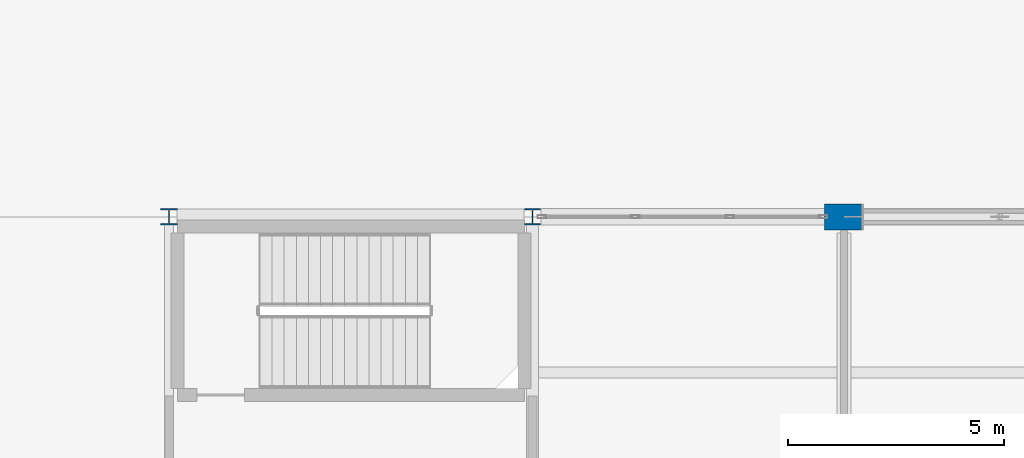
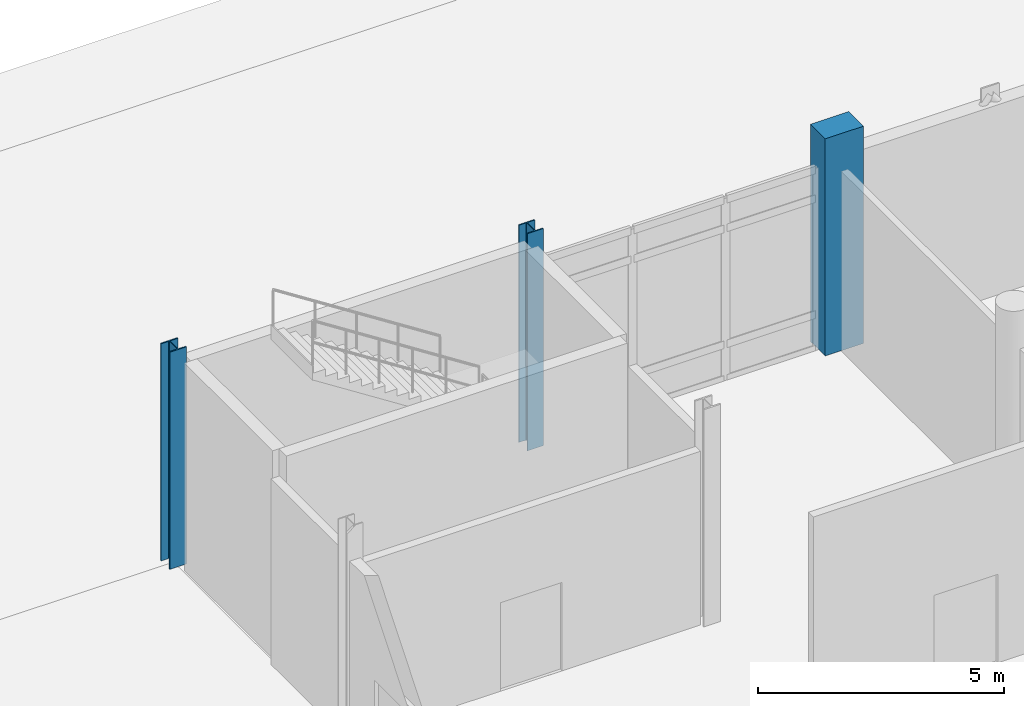
# One storey, part 17 of 229: 3 columns.
"""IFC4 building model written with IfcOpenShell, lengths in metres."""

from ifc_helpers import new_model, si_unit, direction, frame, origin, origin_2d, place, context, subcontext, project, spatial, rectangle, i_section, extrude, material, material_profile, profile_set, type_object, element, save


model = new_model("IFC4")

# Units and contexts
model_context = context("Model", 3, precision=1e-05, world=origin(), true_north=direction((0.0, 1.0)))
body_context = subcontext(model_context, "Body", "Model", "MODEL_VIEW")
ifc_project = project(units=[si_unit("LENGTHUNIT", "METRE"), si_unit("AREAUNIT", "SQUARE_METRE"), si_unit("VOLUMEUNIT", "CUBIC_METRE"), si_unit("PLANEANGLEUNIT", "RADIAN"), si_unit("MASSUNIT", "GRAM", prefix="KILO")], contexts=[model_context])

# Site, building, storey
site_placement = place(None, origin())
site = spatial("IfcSite", under=ifc_project, at=site_placement, CompositionType="ELEMENT")
building_placement = place(site_placement, origin())
building = spatial("IfcBuilding", under=site, at=building_placement, Name="Calvrana Isthmian Art Gallery", CompositionType="ELEMENT")
storey_placement = place(building_placement, origin())
storey = spatial("IfcBuildingStorey", under=building, at=storey_placement, Name="L00", CompositionType="ELEMENT", Elevation=0.0)

# Columns
ifc_material_1 = material(Name="Concrete C40/50", Category="concrete")
ifc_material_profile_1 = material_profile(ifc_material_1, rectangle(XDim=0.89990234375, YDim=0.60009765625, at=origin_2d()), Name="RC900X600")
ifc_profile_set_1 = profile_set([ifc_material_profile_1], Name="Concrete C40/50")
column_type_1 = type_object("IfcColumnType", Name="COL-RC-RC900X600", PredefinedType="COLUMN", material=ifc_profile_set_1)
column_1_placement = place(storey_placement, frame((120.0, 98.39990234375, 0.0), z_axis=(0.0, 0.0, 1.0), x_axis=(1.0, 0.0, 0.0)))
element("IfcColumn", 1, at=column_1_placement, inside=storey, type_object=column_type_1, Name="Column 16/N L00", PredefinedType="COLUMN", context=body_context, shape_type="SweptSolid", body=[
    extrude(rectangle(XDim=0.89990234375, YDim=0.60009765625, at=origin_2d()), origin(), (0.0, 0.0, 1.0), 5.39990234375),
])
ifc_material_2 = material(Name="Steel ASTM A992 Gr 50", Category="steel")
ifc_material_profile_2 = material_profile(ifc_material_2, i_section(OverallWidth=0.373046875, OverallDepth=0.373046875, WebThickness=0.016357421875, FlangeThickness=0.026123046875, FilletRadius=0.02490234375, at=origin_2d()), Name="W14X132")
ifc_profile_set_2 = profile_set([ifc_material_profile_2], Name="Steel ASTM A992 Gr 50")
column_type_2 = type_object("IfcColumnType", Name="COL-STL-W14X132", PredefinedType="COLUMN", material=ifc_profile_set_2)
column_2_placement = place(storey_placement, frame((112.800048828125, 98.39990234375, 0.0), z_axis=(0.0, 0.0, 1.0), x_axis=(1.0, 0.0, 0.0)))
element("IfcColumn", 2, at=column_2_placement, inside=storey, type_object=column_type_2, Name="Column 15/N L00", PredefinedType="COLUMN", context=body_context, shape_type="SweptSolid", body=[
    extrude(i_section(OverallWidth=0.373046875, OverallDepth=0.373046875, WebThickness=0.016357421875, FlangeThickness=0.026123046875, FilletRadius=0.02490234375, at=origin_2d()), origin(), (0.0, 0.0, 1.0), 5.39990234375),
])
ifc_material_profile_3 = material_profile(ifc_material_2, i_section(OverallWidth=0.39404296875, OverallDepth=0.3759765625, WebThickness=0.017333984375, FlangeThickness=0.027587890625, FilletRadius=0.02490234375, at=origin_2d()), Name="W14X145")
ifc_profile_set_3 = profile_set([ifc_material_profile_3], Name="Steel ASTM A992 Gr 50")
column_type_3 = type_object("IfcColumnType", Name="COL-STL-W14X145", PredefinedType="COLUMN", material=ifc_profile_set_3)
column_3_placement = place(storey_placement, frame((104.39990234375, 98.39990234375, 0.0), z_axis=(0.0, 0.0, 1.0), x_axis=(1.0, 0.0, 0.0)))
element("IfcColumn", 3, at=column_3_placement, inside=storey, type_object=column_type_3, Name="Column 14/N L00", PredefinedType="COLUMN", context=body_context, shape_type="SweptSolid", body=[
    extrude(i_section(OverallWidth=0.39404296875, OverallDepth=0.3759765625, WebThickness=0.017333984375, FlangeThickness=0.027587890625, FilletRadius=0.02490234375, at=origin_2d()), origin(), (0.0, 0.0, 1.0), 5.39990234375),
])

save(model, "model.ifc")
